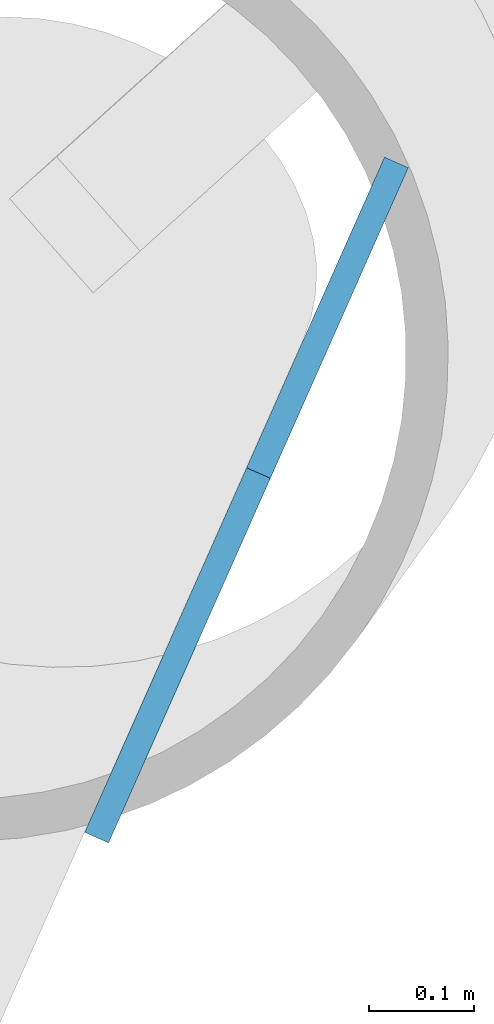
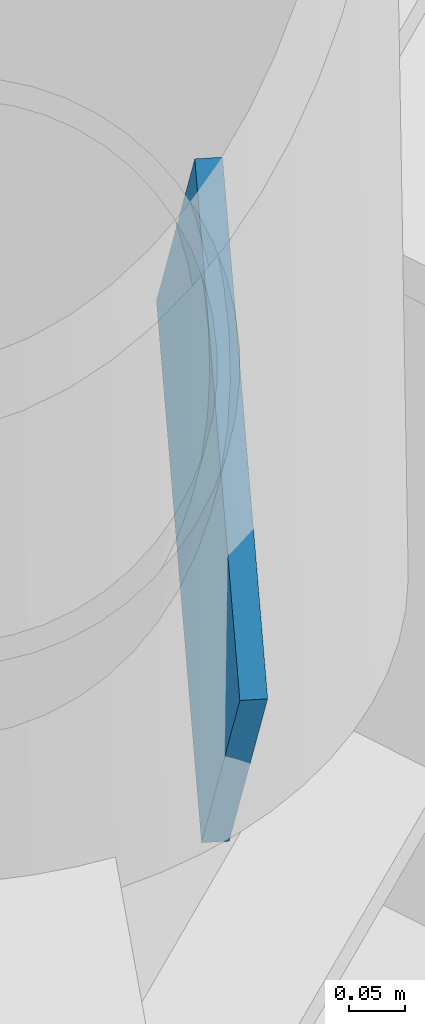
# One storey, part 22 of 35: 1 discrete accessory.
"""IFC4 building model written with IfcOpenShell, lengths in metres."""

from ifc_helpers import new_model, si_unit, direction, frame, origin, origin_2d, place, context, subcontext, project, spatial, rectangle, extrude, material, material_profile, profile_set, type_object, element, save


model = new_model("IFC4")

# Units and contexts
model_context = context("Model", 3, precision=1e-05, world=origin(), true_north=direction((0.0, 1.0)))
body_context = subcontext(model_context, "Body", "Model", "MODEL_VIEW")
ifc_project = project(units=[si_unit("LENGTHUNIT", "METRE"), si_unit("AREAUNIT", "SQUARE_METRE"), si_unit("VOLUMEUNIT", "CUBIC_METRE"), si_unit("PLANEANGLEUNIT", "RADIAN"), si_unit("MASSUNIT", "GRAM", prefix="KILO")], contexts=[model_context])

# Site, building, storey
site_placement = place(None, origin())
site = spatial("IfcSite", under=ifc_project, at=site_placement, CompositionType="ELEMENT")
building_placement = place(site_placement, origin())
building = spatial("IfcBuilding", under=site, at=building_placement, Name="Tarsis Ring Headquarters", CompositionType="ELEMENT")
storey_placement = place(building_placement, frame((0.0, 0.0, 360.800048828125)))
storey = spatial("IfcBuildingStorey", under=building, at=storey_placement, Name="L85", CompositionType="ELEMENT", Elevation=360.800048828125)

# Discrete accessory
ifc_material = material(Name="Structural steel S355", Category="steel")
ifc_material_profile = material_profile(ifc_material, rectangle(XDim=0.02490234375, YDim=0.5, at=origin_2d()), Name="PL 25x500")
ifc_profile_set = profile_set([ifc_material_profile], Name="Structural steel S355")
discrete_accessory_type = type_object("IfcDiscreteAccessoryType", Name="Gusset plate Exo brace 25", PredefinedType="BRACKET", material=ifc_profile_set)
discrete_accessory_placement = place(storey_placement, frame((-23.181640625, 17.069580078125, 0.0), z_axis=(-0.263168096398, -0.592738532518, 0.761185644312), x_axis=(0.913966709836, -0.405789173477, 0.0)))
element("IfcDiscreteAccessory", 1, at=discrete_accessory_placement, inside=storey, type_object=discrete_accessory_type, Name="Gusset plate GP5", PredefinedType="BRACKET", context=body_context, shape_type="SweptSolid", body=[
    extrude(rectangle(XDim=0.02490234375, YDim=0.5, at=origin_2d()), origin(), (0.0, 0.0, 1.0), 0.5),
])

save(model, "model.ifc")
